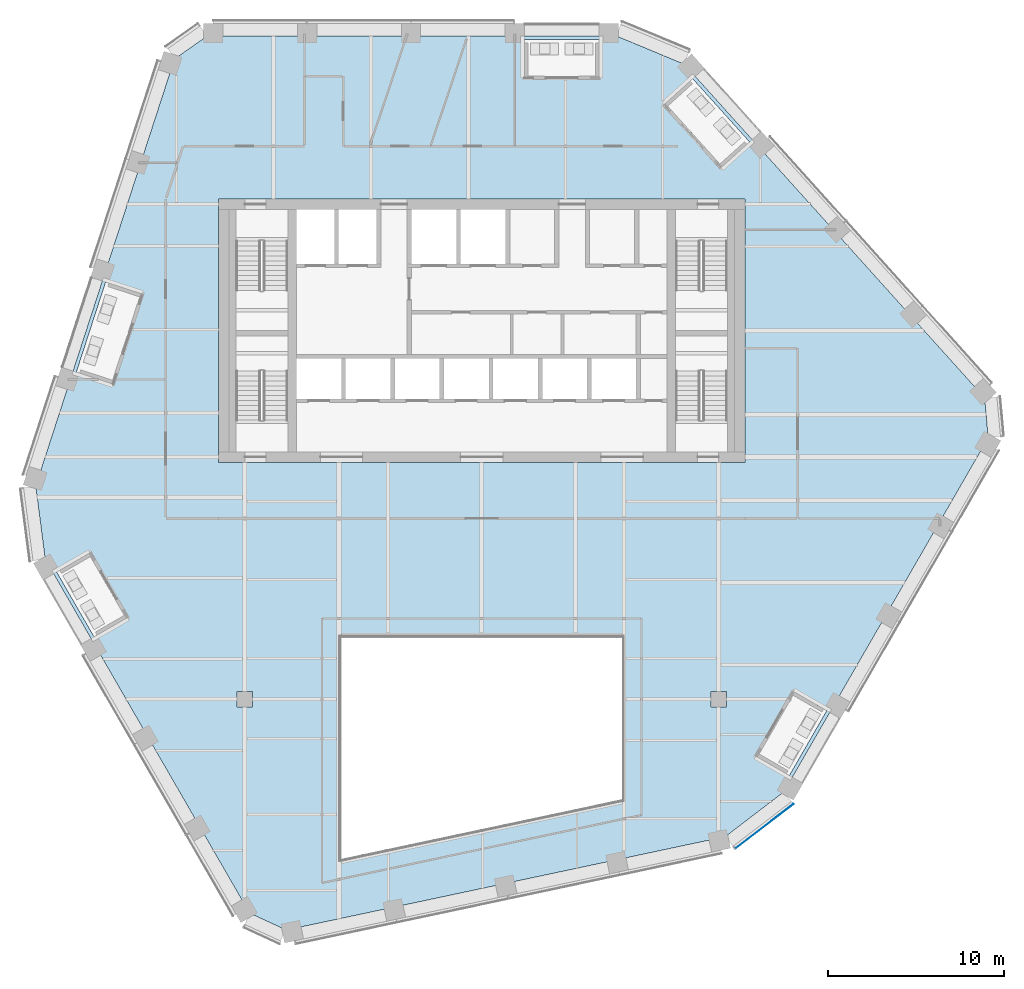
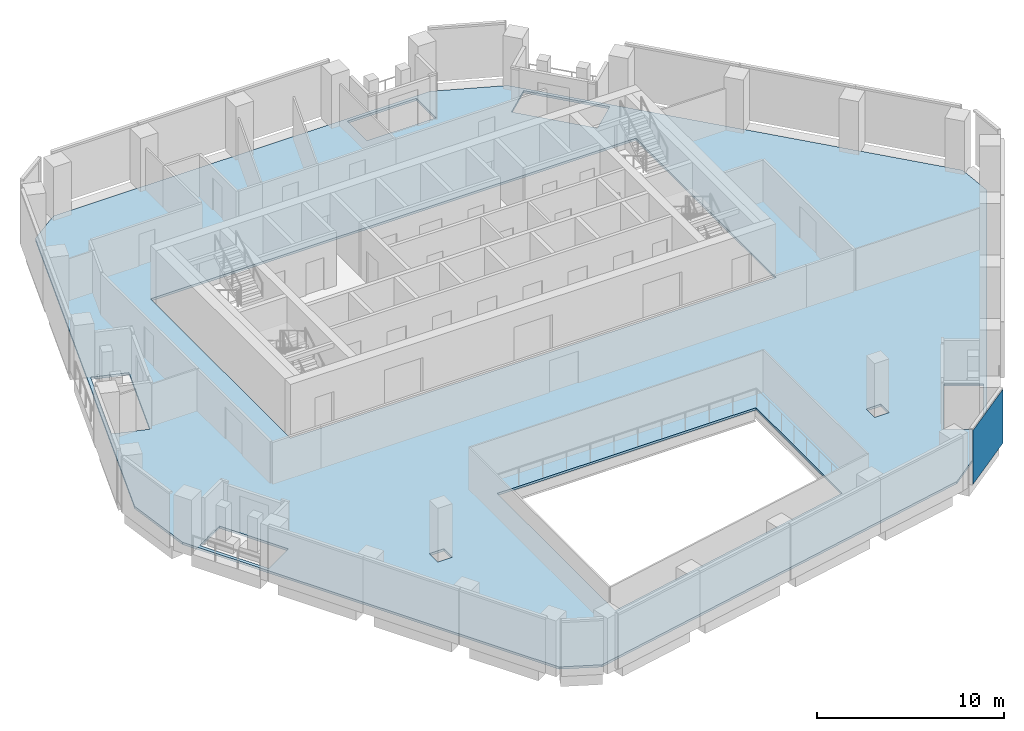
# One storey, part 11 of 24: 1 plate, 1 slab, 1 element without a shape of its own.
"""IFC4 building model written with IfcOpenShell, lengths in metres."""

from ifc_helpers import new_model, si_unit, direction, frame, origin, origin_2d, place, context, subcontext, project, spatial, polyline, rectangle, outline, extrude, material, layer, layer_set, type_object, element, aggregate, save


model = new_model("IFC4")

# Units and contexts
model_context = context("Model", 3, precision=1e-05, world=origin(), true_north=direction((0.0, 1.0)))
body_context = subcontext(model_context, "Body", "Model", "MODEL_VIEW")
ifc_project = project(units=[si_unit("LENGTHUNIT", "METRE"), si_unit("AREAUNIT", "SQUARE_METRE"), si_unit("VOLUMEUNIT", "CUBIC_METRE"), si_unit("PLANEANGLEUNIT", "RADIAN"), si_unit("MASSUNIT", "GRAM", prefix="KILO")], contexts=[model_context])

# Site, building, storey
site_placement = place(None, origin())
site = spatial("IfcSite", under=ifc_project, at=site_placement, CompositionType="ELEMENT")
building_placement = place(site_placement, origin())
building = spatial("IfcBuilding", under=site, at=building_placement, Name="Isthmus Gate Tower", CompositionType="ELEMENT")
storey_placement = place(building_placement, frame((0.0, 0.0, 219.949951171875)))
storey = spatial("IfcBuildingStorey", under=building, at=storey_placement, Name="L55", CompositionType="ELEMENT", Elevation=219.949951171875)

# Slab
ifc_material_1 = material(Name="Concrete f'c 40 MPa", Category="concrete")
ifc_layer_1 = layer(ifc_material_1, 0.14990234375)
ifc_layer_set_1 = layer_set([ifc_layer_1], Name="COMPOSITE FLOOR SLAB 150")
slab_type = type_object("IfcSlabType", Name="COMPOSITE FLOOR SLAB 150", PredefinedType="FLOOR", material=ifc_layer_set_1)
slab_placement = place(storey_placement, frame((0.0, 0.0, -0.14990234375)))
element("IfcSlab", 1, at=slab_placement, inside=storey, type_object=slab_type, Name="str-slab-L55-1", PredefinedType="FLOOR", context=body_context, shape_type="SweptSolid", body=[
    extrude(outline(polyline([(11.539794921875, 22.68310546875), (28.65380859375, 3.67626953125), (28.859375, 1.3857421875), (17.21875, -18.7763671875), (13.874267578125, -21.335205078125), (-11.143310546875, -26.65283203125), (-13.2294921875, -25.685791015625), (-24.8701171875, -5.523681640625), (-25.4140625, -1.347900390625), (-17.510498046875, 22.976806640625), (-15.629638671875, 24.300048828125), (7.6513671875, 24.300048828125), (11.539794921875, 22.68310546875)]), holes=[polyline([(8.0, -10.0), (-8.0, -10.0), (-8.0, -22.611083984375), (8.0, -19.210205078125), (8.0, -10.0)]), polyline([(17.83740234375, -13.10498046875), (15.70703125, -16.794677734375), (17.525634765625, -17.8447265625), (19.656005859375, -14.15478515625), (17.83740234375, -13.10498046875)]), polyline([(-13.050048828125, -13.050048828125), (-13.949951171875, -13.050048828125), (-13.949951171875, -13.949951171875), (-13.050048828125, -13.949951171875), (-13.050048828125, -13.050048828125)]), polyline([(13.949951171875, -13.050048828125), (13.050048828125, -13.050048828125), (13.050048828125, -13.949951171875), (13.949951171875, -13.949951171875), (13.949951171875, -13.050048828125)]), polyline([(-20.267822265625, -8.89501953125), (-22.398193359375, -5.205322265625), (-24.216796875, -6.25537109375), (-22.08642578125, -9.945068359375), (-20.267822265625, -8.89501953125)]), polyline([(-21.099365234375, 4.488525390625), (-19.43310546875, 9.616455078125), (-21.430419921875, 10.265380859375), (-23.0966796875, 5.137451171875), (-21.099365234375, 4.488525390625)]), polyline([(-15.0, 15.0), (-15.0, 0.0), (15.0, 0.0), (15.0, 15.0), (-15.0, 15.0)]), polyline([(12.021484375, 21.84912109375), (10.4609375, 20.444091796875), (13.70068359375, 16.845703125), (15.261474609375, 18.2509765625), (12.021484375, 21.84912109375)]), polyline([(2.430419921875, 24.10009765625), (2.430419921875, 22.0), (6.691162109375, 22.0), (6.691162109375, 24.10009765625), (2.430419921875, 24.10009765625)])]), origin(), (0.0, 0.0, 1.0), 0.14990234375),
])

# Curtain wall, plate
ifc_material_2 = material(Name="Aluminium, pale champagne anodised", Category="aluminium")
ifc_layer_2 = layer(ifc_material_2, 0.199951171875)
ifc_layer_set_2 = layer_set([ifc_layer_2], Name="CW-1 UNITISED CURTAIN WALL 200 DEEP")
curtain_wall_type = type_object("IfcCurtainWallType", Name="CW-1 UNITISED CURTAIN WALL 200 DEEP", PredefinedType="NOTDEFINED", material=ifc_layer_set_2)
curtain_wall_placement = place(storey_placement, origin())
curtain_wall = element("IfcCurtainWall", 2, at=curtain_wall_placement, inside=storey, type_object=curtain_wall_type, Name="CW-1 S-SE L55", PredefinedType="NOTDEFINED")
ifc_material_3 = material(Name="Laminated low-iron glass, pale blue tint", Category="glass")
ifc_layer_3 = layer(ifc_material_3, 0.031982421875)
ifc_layer_set_3 = layer_set([ifc_layer_3], Name="CW-1 CLEAR GLASS LITE 32")
plate_type = type_object("IfcPlateType", Name="CW-1 CLEAR GLASS LITE 32", PredefinedType="CURTAIN_PANEL", material=ifc_layer_set_3)
plate_placement = place(storey_placement, frame((16.107421875, -20.73974609375, 0.0), z_axis=(0.0, 0.0, 1.0), x_axis=(0.794188594387, 0.607671355706, 0.0)))
plate = element("IfcPlate", 3, at=plate_placement, type_object=plate_type, Name="CW-1 glass lite", PredefinedType="CURTAIN_PANEL", context=body_context, shape_type="SweptSolid", body=[
    extrude(rectangle(XDim=4.181396484375, YDim=0.031982421875, at=origin_2d()), origin(), (0.0, 0.0, 1.0), 3.52001953125),
])
aggregate(curtain_wall, [plate])

save(model, "model.ifc")
